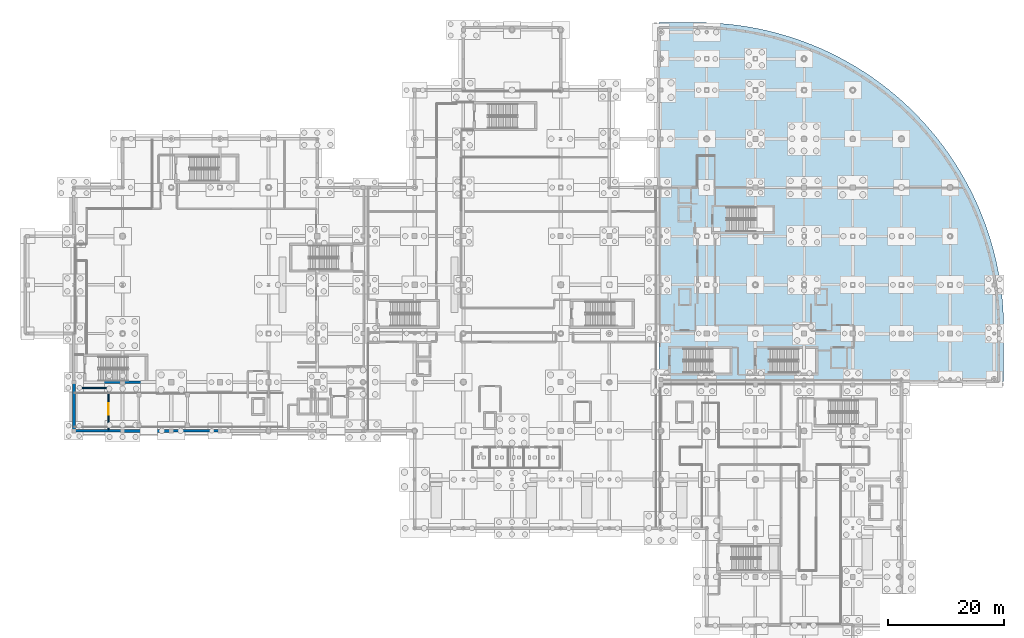
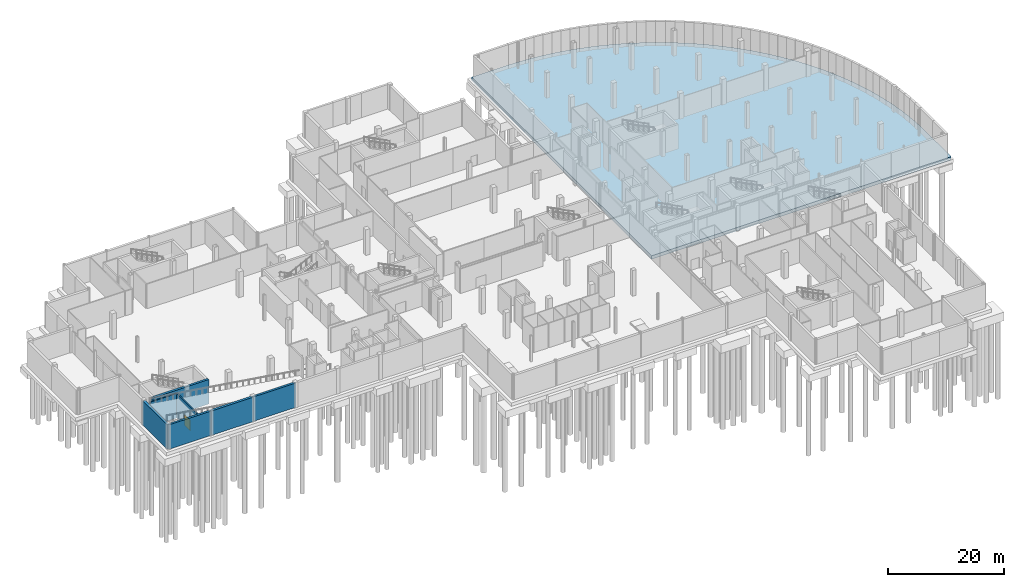
# One storey, part 25 of 49: 7 walls, 1 door, 1 slab, 1 opening.
"""IFC4 building model written with IfcOpenShell, lengths in metres."""

from ifc_helpers import new_model, si_unit, direction, frame, frame_2d, origin, place, context, subcontext, project, spatial, polyline, rectangle, outline, extrude, material, layer, layer_set, type_object, element, fill, save


model = new_model("IFC4")

# Units and contexts
model_context = context("Model", 3, precision=1e-05, world=origin(), true_north=direction((0.0, 1.0)))
body_context = subcontext(model_context, "Body", "Model", "MODEL_VIEW")
ifc_project = project(units=[si_unit("LENGTHUNIT", "METRE"), si_unit("AREAUNIT", "SQUARE_METRE"), si_unit("VOLUMEUNIT", "CUBIC_METRE"), si_unit("PLANEANGLEUNIT", "RADIAN"), si_unit("MASSUNIT", "GRAM", prefix="KILO"), si_unit("THERMODYNAMICTEMPERATUREUNIT", "KELVIN")], contexts=[model_context])

# Site, building, storey
site_placement = place(None, origin())
site = spatial("IfcSite", under=ifc_project, at=site_placement, CompositionType="ELEMENT")
building_placement = place(site_placement, origin())
building = spatial("IfcBuilding", under=site, at=building_placement, Name="Lustrewick Department Store", CompositionType="ELEMENT")
storey_placement = place(building_placement, frame((0.0, 0.0, -5.39990234375)))
storey = spatial("IfcBuildingStorey", under=building, at=storey_placement, Name="B1", CompositionType="ELEMENT", Elevation=-5.39990234375)

# Slab
ifc_material_1 = material(Name="Concrete C35", Category="concrete")
ifc_layer_1 = layer(ifc_material_1, 0.699951171875, Name="Concrete C35")
ifc_layer_set_1 = layer_set([ifc_layer_1], Name="Concrete C35")
slab_type = type_object("IfcSlabType", Name="BS01", PredefinedType="BASESLAB", material=ifc_layer_set_1)
slab_placement = place(storey_placement, frame((0.0, 0.0, -0.7001953125)))
element("IfcSlab", 1, at=slab_placement, inside=storey, type_object=slab_type, Name="B1 Base Slab BS-NE", PredefinedType="BASESLAB", context=body_context, shape_type="SweptSolid", body=[
    extrude(outline(polyline([(109.35009765625, 112.449951171875), (109.35009765625, 50.550048828125), (168.85009765625, 50.550048828125), (168.85009765625, 59.606689453125), (168.822998046875, 61.2939453125), (168.74169921875, 62.986083984375), (168.60595703125, 64.6748046875), (168.416259765625, 66.3583984375), (168.172607421875, 68.034912109375), (167.87548828125, 69.70263671875), (167.525146484375, 71.3603515625), (167.12158203125, 73.005615234375), (166.665771484375, 74.63720703125), (166.15771484375, 76.25341796875), (165.59814453125, 77.8525390625), (164.98779296875, 79.432861328125), (164.326904296875, 80.992919921875), (163.6162109375, 82.53076171875), (162.85693359375, 84.045166015625), (162.04931640625, 85.534423828125), (161.1943359375, 86.9970703125), (160.293212890625, 88.431396484375), (159.34619140625, 89.83642578125), (158.354736328125, 91.210205078125), (157.31982421875, 92.551513671875), (156.242431640625, 93.85888671875), (155.123779296875, 95.131103515625), (153.96484375, 96.366943359375), (152.766845703125, 97.56494140625), (151.531005859375, 98.723876953125), (150.259033203125, 99.842529296875), (148.951416015625, 100.919921875), (147.610107421875, 101.954833984375), (146.236572265625, 102.9462890625), (144.83154296875, 103.89306640625), (143.397216796875, 104.79443359375), (141.9345703125, 105.6494140625), (140.4453125, 106.456787109375), (138.930908203125, 107.21630859375), (137.392822265625, 107.927001953125), (135.8330078125, 108.587646484375), (134.252685546875, 109.1982421875), (132.653564453125, 109.7578125), (131.037353515625, 110.265625), (129.40576171875, 110.7216796875), (127.76025390625, 111.125), (126.102783203125, 111.4755859375), (124.434814453125, 111.772705078125), (122.75830078125, 112.01611328125), (121.07470703125, 112.205810546875), (119.38623046875, 112.341552734375), (117.69384765625, 112.423095703125), (116.0068359375, 112.449951171875), (109.35009765625, 112.449951171875)])), origin(), (0.0, 0.0, 1.0), 0.7001953125),
])

# Wall, opening, door
ifc_material_2 = material(Name="Autoclaved aerated concrete blockwork and fire board", Category="masonry")
ifc_layer_2 = layer(ifc_material_2, 0.219970703125, Name="Autoclaved aerated concrete blockwork and fire board")
ifc_layer_set_2 = layer_set([ifc_layer_2], Name="Autoclaved aerated concrete blockwork and fire board")
wall_type_1 = type_object("IfcWallType", Name="PW01", PredefinedType="PARTITIONING", material=ifc_layer_set_2)
wall_1_placement = place(storey_placement, frame((14.389892578125, 42.205078125, 0.0), z_axis=(0.0, 0.0, 1.0), x_axis=(0.0, 1.0, 0.0)))
wall_1 = element("IfcWall", 2, at=wall_1_placement, inside=storey, type_object=wall_type_1, Name="B1 V1 Reserve Merchandise Stockroom 2 PW01", PredefinedType="PARTITIONING", context=body_context, shape_type="SweptSolid", body=[
    extrude(rectangle(XDim=7.184814453125, YDim=0.219970703125, at=frame_2d((3.59228515625, 0.0))), origin(), (0.0, 0.0, 1.0), 5.14501953125),
])
opening_placement = place(wall_1_placement, frame((2.592529296875, 0.0, 0.0)))
opening = element("IfcOpeningElement", 3, at=opening_placement, cuts=wall_1, Name="Opening D-B1-046", PredefinedType="OPENING", context=body_context, shape_type="SweptSolid", body=[
    extrude(rectangle(XDim=2.0, YDim=2.199951171875, at=frame_2d((1.0, 1.10009765625))), frame((0.0, 0.1201171875, 0.0), z_axis=(0.0, -1.0, 0.0), x_axis=(1.0, 0.0, 0.0)), (0.0, 0.0, 1.0), 0.239990234375),
])
ifc_material_3 = material(Name="Steel fire door Class A EI 90", Category="steel")
door_type = type_object("IfcDoorType", Name="DT-06", OperationType="NOTDEFINED", PredefinedType="DOOR", material=ifc_material_3)
door_placement = place(opening_placement, origin())
door = element("IfcDoor", 4, at=door_placement, inside=storey, type_object=door_type, Name="B1 V1 Reserve Merchandise Stockroom 2 Door D-B1-046", OperationType="DOUBLE_DOOR_SINGLE_SWING", OverallHeight=2.199951171875, OverallWidth=2.0, PredefinedType="DOOR", context=body_context, shape_type="SweptSolid", body=[
    extrude(rectangle(XDim=2.0, YDim=2.199951171875, at=frame_2d((1.0, 1.10009765625))), frame((0.0, 0.02490234375, 0.0), z_axis=(0.0, -1.0, 0.0), x_axis=(1.0, 0.0, 0.0)), (0.0, 0.0, 1.0), 0.050048828125),
])
fill(opening, door)

# Walls
wall_2_placement = place(storey_placement, frame((14.284912109375, 49.389892578125, 0.0), z_axis=(0.0, 0.0, 1.0), x_axis=(-1.0, 0.0, 0.0)))
element("IfcWall", 5, at=wall_2_placement, inside=storey, type_object=wall_type_1, Name="B1 V1 Reserve Merchandise Stockroom 2 PW01", PredefinedType="PARTITIONING", context=body_context, shape_type="SweptSolid", body=[
    extrude(rectangle(XDim=5.284912109375, YDim=0.219970703125, at=frame_2d((2.642578125, 0.0))), origin(), (0.0, 0.0, 1.0), 5.14501953125),
])
ifc_material_4 = material(Name="Concrete C40", Category="concrete")
ifc_layer_3 = layer(ifc_material_4, 0.419921875, Name="Concrete C40")
ifc_layer_set_3 = layer_set([ifc_layer_3], Name="Concrete C40")
wall_type_2 = type_object("IfcWallType", Name="RW01", PredefinedType="USERDEFINED", material=ifc_layer_set_3)
for number, where, z_axis, x_axis, name in (
    (6, (33.60009765625, 42.0, 0.0), (0.0, 0.0, 1.0), (-1.0, 0.0, 0.0), "B1 Retaining Wall RW01 0015"),
    (7, (16.800048828125, 42.0, 0.0), (0.0, 0.0, 1.0), (-1.0, 0.0, 0.0), "B1 Retaining Wall RW01 0017"),
):
    element("IfcWall", number, at=place(storey_placement, frame(where, z_axis=z_axis, x_axis=x_axis)), inside=storey, type_object=wall_type_2, Name=name, ObjectType="RETAININGWALL", PredefinedType="USERDEFINED", context=body_context, shape_type="SweptSolid", body=[
        extrude(rectangle(XDim=8.400146484375, YDim=0.419921875, at=frame_2d((4.2001953125, 0.0))), origin(), (0.0, 0.0, 1.0), 5.1298828125),
    ])
ifc_layer_4 = layer(ifc_material_4, 0.47998046875, Name="Concrete C40")
ifc_layer_set_4 = layer_set([ifc_layer_4], Name="Concrete C40")
wall_type_3 = type_object("IfcWallType", Name="RW02", PredefinedType="USERDEFINED", material=ifc_layer_set_4)
wall_3_placement = place(storey_placement, frame((25.199951171875, 42.0, 0.0), z_axis=(0.0, 0.0, 1.0), x_axis=(-1.0, 0.0, 0.0)))
element("IfcWall", 8, at=wall_3_placement, inside=storey, type_object=wall_type_3, Name="B1 Retaining Wall RW02 0016", ObjectType="RETAININGWALL", PredefinedType="USERDEFINED", context=body_context, shape_type="SweptSolid", body=[
    extrude(rectangle(XDim=8.39990234375, YDim=0.47998046875, at=frame_2d((4.199951171875, 0.0))), origin(), (0.0, 0.0, 1.0), 5.1298828125),
])
wall_4_placement = place(storey_placement, frame((8.39990234375, 42.0, 0.0), z_axis=(0.0, 0.0, 1.0), x_axis=(0.0, 1.0, 0.0)))
element("IfcWall", 9, at=wall_4_placement, inside=storey, type_object=wall_type_3, Name="B1 Retaining Wall RW02 0018", ObjectType="RETAININGWALL", PredefinedType="USERDEFINED", context=body_context, shape_type="SweptSolid", body=[
    extrude(rectangle(XDim=8.39990234375, YDim=0.47998046875, at=frame_2d((4.199951171875, 0.0))), origin(), (0.0, 0.0, 1.0), 5.099853515625),
])
ifc_material_5 = material(Name="Concrete C50", Category="concrete")
ifc_layer_5 = layer(ifc_material_5, 0.449951171875, Name="Concrete C50")
ifc_layer_set_5 = layer_set([ifc_layer_5], Name="Concrete C50")
wall_type_4 = type_object("IfcWallType", Name="SW01", PredefinedType="SHEAR", material=ifc_layer_set_5)
wall_5_placement = place(storey_placement, frame((10.050048828125, 50.375, 0.0), z_axis=(0.0, 0.0, 1.0), x_axis=(1.0, 0.0, 0.0)))
element("IfcWall", 10, at=wall_5_placement, inside=storey, type_object=wall_type_4, Name="B1 Stair Core ST01 Shear Wall S", PredefinedType="SHEAR", context=body_context, shape_type="SweptSolid", body=[
    extrude(rectangle(XDim=11.099853515625, YDim=0.449951171875, at=frame_2d((5.5498046875, 0.0))), origin(), (0.0, 0.0, 1.0), 5.14501953125),
])

save(model, "model.ifc")
